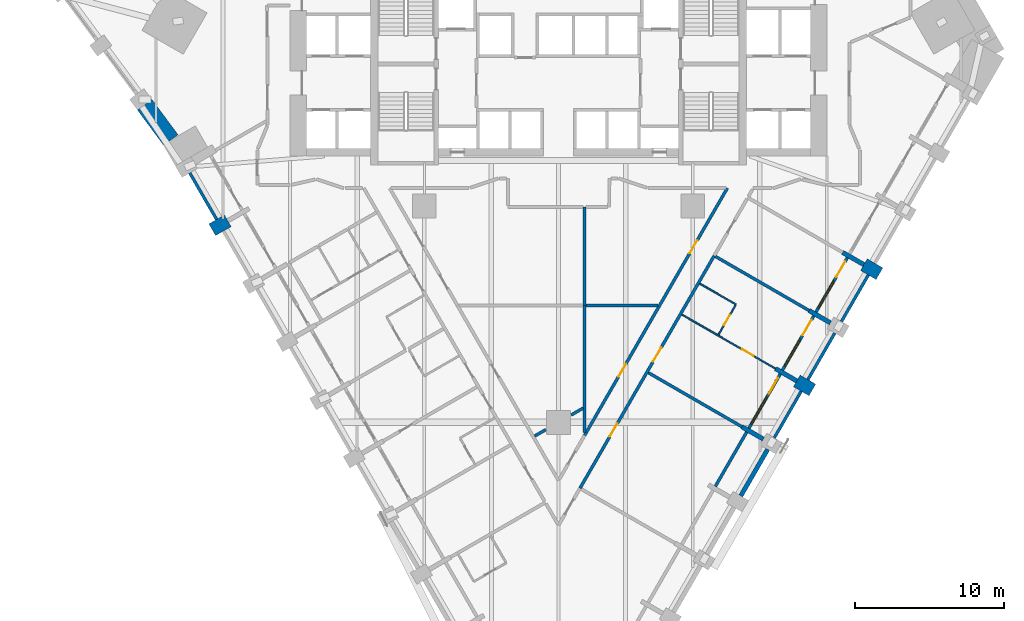
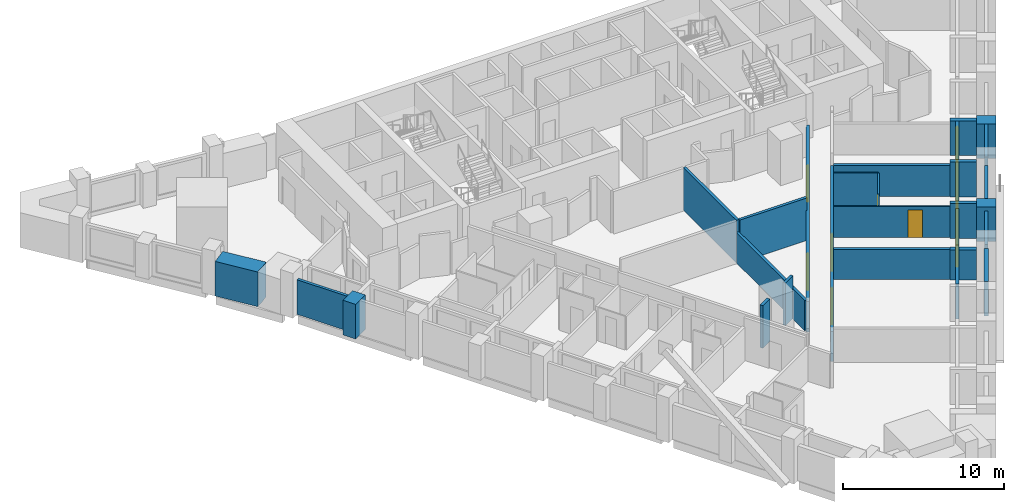
# One storey, part 5 of 11: 29 walls, 9 doors, 3 windows, 12 openings.
"""IFC4 building model written with IfcOpenShell, lengths in metres."""

from ifc_helpers import new_model, si_unit, direction, frame, frame_2d, origin, place, context, subcontext, project, spatial, polyline, rectangle, outline, extrude, material, layer, layer_set, type_object, element, fill, save


model = new_model("IFC4")

# Units and contexts
model_context = context("Model", 3, precision=1e-05, world=origin(), true_north=direction((0.0, 1.0)))
body_context = subcontext(model_context, "Body", "Model", "MODEL_VIEW")
ifc_project = project(units=[si_unit("LENGTHUNIT", "METRE"), si_unit("AREAUNIT", "SQUARE_METRE"), si_unit("VOLUMEUNIT", "CUBIC_METRE"), si_unit("PLANEANGLEUNIT", "RADIAN"), si_unit("MASSUNIT", "GRAM", prefix="KILO")], contexts=[model_context])

# Site, building, storey
site_placement = place(None, origin())
site = spatial("IfcSite", under=ifc_project, at=site_placement, CompositionType="ELEMENT")
building_placement = place(site_placement, origin())
building = spatial("IfcBuilding", under=site, at=building_placement, Name="Calabash Gate Tower", CompositionType="ELEMENT")
storey_placement = place(building_placement, frame((0.0, 0.0, 52.800048828125)))
storey = spatial("IfcBuildingStorey", under=building, at=storey_placement, Name="L08", CompositionType="ELEMENT", Elevation=52.800048828125)

# Walls
ifc_material_1 = material(Name="Terracotta brick masonry, exposed face", Category="masonry")
ifc_layer_1 = layer(ifc_material_1, 1.199951171875)
ifc_layer_set_1 = layer_set([ifc_layer_1], Name="Brick end wall 1200")
wall_type_1 = type_object("IfcWallType", Name="Brick end wall 1200", PredefinedType="SOLIDWALL", material=ifc_layer_set_1)
wall_1_placement = place(storey_placement, frame((-23.2197265625, 0.912353515625, 0.0), z_axis=(0.0, 0.0, 1.0), x_axis=(0.866006032174, 0.500033551112, 0.0)))
element("IfcWall", 1, at=wall_1_placement, inside=storey, type_object=wall_type_1, Name="Brick pier S01 SW0.1", PredefinedType="SOLIDWALL", context=body_context, shape_type="SweptSolid", body=[
    extrude(rectangle(XDim=1.2001953125, YDim=0.89990234375, at=frame_2d((0.60009765625, 0.0))), origin(), (0.0, 0.0, 1.0), 2.6298828125),
])
for number, where, z_axis, x_axis, name in (
    (2, (17.01953125, -9.826171875, 0.0), (0.0, 0.0, 1.0), (-0.866043267704, 0.499969057507, 0.0), "Brick pier S01 SE2.5"),
    (3, (21.51953125, -2.031982421875, 0.0), (0.0, 0.0, 1.0), (-0.866043267704, 0.499969057507, 0.0), "Brick pier S01 SE2.7"),
):
    element("IfcWall", number, at=place(storey_placement, frame(where, z_axis=z_axis, x_axis=x_axis)), inside=storey, type_object=wall_type_1, Name=name, PredefinedType="SOLIDWALL", context=body_context, shape_type="SweptSolid", body=[
        extrude(rectangle(XDim=1.19970703125, YDim=0.89990234375, at=frame_2d((0.599853515625, 0.0))), origin(), (0.0, 0.0, 1.0), 2.6298828125),
    ])
wall_2_placement = place(storey_placement, origin())
element("IfcWall", 4, at=wall_2_placement, inside=storey, type_object=wall_type_1, Name="Brick end wall S01 3", PredefinedType="SOLIDWALL", context=body_context, shape_type="SweptSolid", body=[
    extrude(outline(polyline([(-25.517822265625, 7.285400390625), (-27.267578125, 9.64697265625), (-27.26806640625, 9.646728515625), (-27.26806640625, 9.646484375), (-28.231689453125, 8.9326171875), (-26.50244140625, 6.5986328125), (-26.51953125, 6.628173828125), (-26.0, 6.92822265625), (-25.517822265625, 7.285400390625)])), origin(), (0.0, 0.0, 1.0), 2.6298828125),
])
ifc_material_2 = material(Name="Terracotta brick masonry, exposed face", Category="masonry")
ifc_layer_2 = layer(ifc_material_2, 0.300048828125)
ifc_layer_set_2 = layer_set([ifc_layer_2], Name="Brick infill panel wall 300")
wall_type_2 = type_object("IfcWallType", Name="Brick infill panel wall 300", PredefinedType="SOLIDWALL", material=ifc_layer_set_2)
wall_3_placement = place(storey_placement, frame((12.22509765625, -16.930908203125, 0.0), z_axis=(0.0, 0.0, 1.0), x_axis=(0.499931829785, 0.866064758299, 0.0)))
element("IfcWall", 5, at=wall_3_placement, inside=storey, type_object=wall_type_2, Name="Brick panel S01 SE2.4", PredefinedType="SOLIDWALL", context=body_context, shape_type="SweptSolid", body=[
    extrude(rectangle(XDim=3.60009765625, YDim=0.300048828125, at=frame_2d((1.800048828125, 0.0))), origin(), (0.0, 0.0, 1.0), 2.6298828125),
])
ifc_material_3 = material(Name="Terracotta brick masonry, exposed face", Category="masonry")
ifc_layer_3 = layer(ifc_material_3, 0.300048828125)
ifc_layer_set_3 = layer_set([ifc_layer_3], Name="Brick loggia cheek wall 300")
wall_type_3 = type_object("IfcWallType", Name="Brick loggia cheek wall 300", PredefinedType="SOLIDWALL", material=ifc_layer_set_3)
wall_4_placement = place(storey_placement, frame((13.730224609375, -13.123291015625, 0.0), z_axis=(0.0, 0.0, 1.0), x_axis=(-0.866003217194, 0.500038426333, 0.0)))
element("IfcWall", 6, at=wall_4_placement, inside=storey, type_object=wall_type_3, Name="Loggia cheek S01 SE2.4", PredefinedType="SOLIDWALL", context=body_context, shape_type="SweptSolid", body=[
    extrude(rectangle(XDim=1.649658203125, YDim=0.300048828125, at=frame_2d((0.82470703125, 0.0))), origin(), (0.0, 0.0, 1.0), 2.302490234375),
])
wall_5_placement = place(storey_placement, frame((15.98046875, -9.226318359375, 0.0), z_axis=(0.0, 0.0, 1.0), x_axis=(-0.866040211805, 0.499974350878, 0.0)))
element("IfcWall", 7, at=wall_5_placement, inside=storey, type_object=wall_type_3, Name="Loggia cheek S01 SE2.5", PredefinedType="SOLIDWALL", context=body_context, shape_type="SweptSolid", body=[
    extrude(rectangle(XDim=1.64990234375, YDim=0.300048828125, at=frame_2d((0.824951171875, 0.0))), origin(), (0.0, 0.0, 1.0), 2.64990234375),
])
wall_6_placement = place(storey_placement, frame((18.230224609375, -5.3291015625, 0.0), z_axis=(0.0, 0.0, 1.0), x_axis=(-0.866003217194, 0.500038426333, 0.0)))
element("IfcWall", 8, at=wall_6_placement, inside=storey, type_object=wall_type_3, Name="Loggia cheek S01 SE2.6", PredefinedType="SOLIDWALL", context=body_context, shape_type="SweptSolid", body=[
    extrude(rectangle(XDim=1.649658203125, YDim=0.300048828125, at=frame_2d((0.82470703125, 0.0))), origin(), (0.0, 0.0, 1.0), 2.64990234375),
])
wall_7_placement = place(storey_placement, frame((20.48046875, -1.43212890625, 0.0), z_axis=(0.0, 0.0, 1.0), x_axis=(-0.865976140824, 0.500085316245, 0.0)))
element("IfcWall", 9, at=wall_7_placement, inside=storey, type_object=wall_type_3, Name="Loggia cheek S01 SE2.7", PredefinedType="SOLIDWALL", context=body_context, shape_type="SweptSolid", body=[
    extrude(rectangle(XDim=1.650146484375, YDim=0.300048828125, at=frame_2d((0.8251953125, 0.0))), origin(), (0.0, 0.0, 1.0), 2.64990234375),
])

# Wall, opening, door
ifc_material_4 = material(Name="Gypsum board on steel studs, mineral wool", Category="steel")
ifc_layer_4 = layer(ifc_material_4, 0.10009765625)
ifc_layer_set_4 = layer_set([ifc_layer_4], Name="Partition 100 gypsum board")
wall_type_4 = type_object("IfcWallType", Name="Partition 100 gypsum board", PredefinedType="PARTITIONING", material=ifc_layer_set_4)
wall_8_placement = place(storey_placement, frame((10.72216796875, -6.13037109375, 0.0), z_axis=(0.0, 0.0, 1.0), x_axis=(0.500617411337, 0.865668647617, 0.0)))
wall_8 = element("IfcWall", 10, at=wall_8_placement, inside=storey, type_object=wall_type_4, Name="Partition", PredefinedType="PARTITIONING", context=body_context, shape_type="SweptSolid", body=[
    extrude(rectangle(XDim=2.2978515625, YDim=0.10009765625, at=frame_2d((1.14892578125, 0.0))), origin(), (0.0, 0.0, 1.0), 3.22998046875),
])
opening_1_placement = place(wall_8_placement, frame((0.748046875, 0.0, 0.0)))
opening_1 = element("IfcOpeningElement", 11, at=opening_1_placement, cuts=wall_8, Name="Opening 06-08-012", PredefinedType="OPENING", context=body_context, shape_type="SweptSolid", body=[
    extrude(rectangle(XDim=0.800048828125, YDim=2.10009765625, at=frame_2d((0.39990234375, 1.050048828125))), frame((0.0, 0.06005859375, 0.0), z_axis=(0.0, -1.0, 0.0), x_axis=(1.0, 0.0, 0.0)), (0.0, 0.0, 1.0), 0.1201171875),
])
ifc_material_5 = material(Name="Painted timber door", Category="wood")
door_type_1 = type_object("IfcDoorType", Name="GD5 En-suite door 800x2100", OperationType="NOTDEFINED", PredefinedType="DOOR", material=ifc_material_5)
door_1_placement = place(opening_1_placement, origin())
door_1 = element("IfcDoor", 12, at=door_1_placement, inside=storey, type_object=door_type_1, Name="En-suite door", OperationType="SINGLE_SWING_RIGHT", OverallHeight=2.10009765625, OverallWidth=0.800048828125, PredefinedType="DOOR", context=body_context, shape_type="SweptSolid", body=[
    extrude(rectangle(XDim=0.800048828125, YDim=2.10009765625, at=frame_2d((0.39990234375, 1.050048828125))), frame((0.0, 0.02490234375, 0.0), z_axis=(0.0, -1.0, 0.0), x_axis=(1.0, 0.0, 0.0)), (0.0, 0.0, 1.0), 0.050048828125),
])
fill(opening_1, door_1)

wall_9_placement = place(storey_placement, frame((8.27392578125, -4.774658203125, 0.0), z_axis=(0.0, 0.0, 1.0), x_axis=(0.866035857012, -0.499981894041, 0.0)))
wall_9 = element("IfcWall", 13, at=wall_9_placement, inside=storey, type_object=wall_type_4, Name="Partition", PredefinedType="PARTITIONING", context=body_context, shape_type="SweptSolid", body=[
    extrude(rectangle(XDim=7.249755859375, YDim=0.10009765625, at=frame_2d((3.625, 0.0))), origin(), (0.0, 0.0, 1.0), 2.384033203125),
])
opening_2_placement = place(wall_9_placement, frame((4.64990234375, 0.0, 0.0)))
opening_2 = element("IfcOpeningElement", 14, at=opening_2_placement, cuts=wall_9, Name="Opening 06-08-011", PredefinedType="OPENING", context=body_context, shape_type="SweptSolid", body=[
    extrude(rectangle(XDim=0.89990234375, YDim=2.10009765625, at=frame_2d((0.449951171875, 1.050048828125))), frame((0.0, 0.06005859375, 0.0), z_axis=(0.0, -1.0, 0.0), x_axis=(1.0, 0.0, 0.0)), (0.0, 0.0, 1.0), 0.1201171875),
])
ifc_material_6 = material(Name="Painted timber door", Category="wood")
door_type_2 = type_object("IfcDoorType", Name="GD7 Suite room door 900x2100", OperationType="NOTDEFINED", PredefinedType="DOOR", material=ifc_material_6)
door_2_placement = place(opening_2_placement, origin())
door_2 = element("IfcDoor", 15, at=door_2_placement, inside=storey, type_object=door_type_2, Name="Suite room door", OperationType="SINGLE_SWING_RIGHT", OverallHeight=2.10009765625, OverallWidth=0.89990234375, PredefinedType="DOOR", context=body_context, shape_type="SweptSolid", body=[
    extrude(rectangle(XDim=0.89990234375, YDim=2.10009765625, at=frame_2d((0.449951171875, 1.050048828125))), frame((0.0, 0.02490234375, 0.0), z_axis=(0.0, -1.0, 0.0), x_axis=(1.0, 0.0, 0.0)), (0.0, 0.0, 1.0), 0.050048828125),
])
fill(opening_2, door_2)

# Walls
wall_10_placement = place(storey_placement, frame((9.47216796875, -2.69921875, 0.0), z_axis=(0.0, 0.0, 1.0), x_axis=(0.866288634608, -0.499543793424, 0.0)))
element("IfcWall", 16, at=wall_10_placement, inside=storey, type_object=wall_type_4, Name="Partition", PredefinedType="PARTITIONING", context=body_context, shape_type="SweptSolid", body=[
    extrude(rectangle(XDim=2.7998046875, YDim=0.10009765625, at=frame_2d((1.39990234375, 0.0))), origin(), (0.0, 0.0, 1.0), 3.22998046875),
])
ifc_material_7 = material(Name="Gypsum board on steel studs, mineral wool", Category="steel")
ifc_layer_5 = layer(ifc_material_7, 0.199951171875)
ifc_layer_set_5 = layer_set([ifc_layer_5], Name="Partition 200 gypsum board EI 60")
wall_type_5 = type_object("IfcWallType", Name="Partition 200 gypsum board EI 60", PredefinedType="PARTITIONING", material=ifc_layer_set_5)
wall_11_placement = place(storey_placement, frame((-1.603515625, -12.923583984375, 0.0), z_axis=(0.0, 0.0, 1.0), x_axis=(0.866960927484, 0.498376113207, 0.0)))
element("IfcWall", 17, at=wall_11_placement, inside=storey, type_object=wall_type_5, Name="Partition", PredefinedType="PARTITIONING", context=body_context, shape_type="SweptSolid", body=[
    extrude(rectangle(XDim=0.869140625, YDim=0.199951171875, at=frame_2d((0.4345703125, 0.0))), origin(), (0.0, 0.0, 1.0), 3.22998046875),
])

# Wall, openings, doors
wall_12_placement = place(storey_placement, frame((1.75, -12.8701171875, 0.0), z_axis=(0.0, 0.0, 1.0), x_axis=(0.499999309361, 0.866025802525, 0.0)))
wall_12 = element("IfcWall", 18, at=wall_12_placement, inside=storey, type_object=wall_type_5, Name="Partition", PredefinedType="PARTITIONING", context=body_context, shape_type="SweptSolid", body=[
    extrude(rectangle(XDim=19.13427734375, YDim=0.199951171875, at=frame_2d((9.567138671875, 0.0))), origin(), (0.0, 0.0, 1.0), 2.302490234375),
])
opening_3_placement = place(wall_12_placement, frame((14.097900390625, 0.0, 0.0)))
opening_3 = element("IfcOpeningElement", 19, at=opening_3_placement, cuts=wall_12, Name="Opening 06-08-015", PredefinedType="OPENING", context=body_context, shape_type="SweptSolid", body=[
    extrude(rectangle(XDim=1.0, YDim=2.10009765625, at=frame_2d((0.5, 1.050048828125))), frame((0.0, 0.10986328125, 0.0), z_axis=(0.0, -1.0, 0.0), x_axis=(1.0, 0.0, 0.0)), (0.0, 0.0, 1.0), 0.219970703125),
])
opening_4_placement = place(wall_12_placement, frame((4.530029296875, 0.0, 0.0)))
opening_4 = element("IfcOpeningElement", 20, at=opening_4_placement, cuts=wall_12, Name="Opening 06-08-016", PredefinedType="OPENING", context=body_context, shape_type="SweptSolid", body=[
    extrude(rectangle(XDim=1.0, YDim=2.10009765625, at=frame_2d((0.5, 1.050048828125))), frame((0.0, 0.10986328125, 0.0), z_axis=(0.0, -1.0, 0.0), x_axis=(1.0, 0.0, 0.0)), (0.0, 0.0, 1.0), 0.219970703125),
])
ifc_material_8 = material(Name="Steel fire door set with fire-resisting glazing", Category="steel")
door_type_3 = type_object("IfcDoorType", Name="LD2 Meeting room door 1000x2100", OperationType="NOTDEFINED", PredefinedType="DOOR", material=ifc_material_8)
door_3_placement = place(opening_3_placement, origin())
door_3 = element("IfcDoor", 21, at=door_3_placement, inside=storey, type_object=door_type_3, Name="Meeting room door", OperationType="SINGLE_SWING_RIGHT", OverallHeight=2.10009765625, OverallWidth=1.0, PredefinedType="DOOR", context=body_context, shape_type="SweptSolid", body=[
    extrude(rectangle(XDim=1.0, YDim=2.10009765625, at=frame_2d((0.5, 1.050048828125))), frame((0.0, 0.02490234375, 0.0), z_axis=(0.0, -1.0, 0.0), x_axis=(1.0, 0.0, 0.0)), (0.0, 0.0, 1.0), 0.050048828125),
])
fill(opening_3, door_3)
door_4_placement = place(opening_4_placement, origin())
door_4 = element("IfcDoor", 22, at=door_4_placement, inside=storey, type_object=door_type_3, Name="Meeting room door", OperationType="SINGLE_SWING_LEFT", OverallHeight=2.10009765625, OverallWidth=1.0, PredefinedType="DOOR", context=body_context, shape_type="SweptSolid", body=[
    extrude(rectangle(XDim=1.0, YDim=2.10009765625, at=frame_2d((0.5, 1.050048828125))), frame((0.0, 0.02490234375, 0.0), z_axis=(0.0, -1.0, 0.0), x_axis=(1.0, 0.0, 0.0)), (0.0, 0.0, 1.0), 0.050048828125),
])
fill(opening_4, door_4)

# Walls
wall_13_placement = place(storey_placement, frame((1.748046875, -12.673583984375, 0.0), z_axis=(0.0, 0.0, 1.0), x_axis=(0.0, 1.0, 0.0)))
element("IfcWall", 23, at=wall_13_placement, inside=storey, type_object=wall_type_5, Name="Partition", PredefinedType="PARTITIONING", context=body_context, shape_type="SweptSolid", body=[
    extrude(rectangle(XDim=8.515869140625, YDim=0.199951171875, at=frame_2d((4.2578125, 0.0))), origin(), (0.0, 0.0, 1.0), 2.302490234375),
])
wall_14_placement = place(storey_placement, frame((0.85009765625, -11.509033203125, 0.0), z_axis=(0.0, 0.0, 1.0), x_axis=(0.865248014814, 0.501344066345, 0.0)))
element("IfcWall", 24, at=wall_14_placement, inside=storey, type_object=wall_type_5, Name="Partition", PredefinedType="PARTITIONING", context=body_context, shape_type="SweptSolid", body=[
    extrude(rectangle(XDim=0.93798828125, YDim=0.199951171875, at=frame_2d((0.468994140625, 0.0))), origin(), (0.0, 0.0, 1.0), 3.22998046875),
])
wall_15_placement = place(storey_placement, frame((6.02392578125, -8.671875, 0.0), z_axis=(0.0, 0.0, 1.0), x_axis=(0.865914666804, -0.500191753045, 0.0)))
element("IfcWall", 25, at=wall_15_placement, inside=storey, type_object=wall_type_5, Name="Partition", PredefinedType="PARTITIONING", context=body_context, shape_type="SweptSolid", body=[
    extrude(rectangle(XDim=7.249755859375, YDim=0.199951171875, at=frame_2d((3.625, 0.0))), origin(), (0.0, 0.0, 1.0), 2.302490234375),
])
wall_16_placement = place(storey_placement, frame((1.85009765625, -4.156005859375, 0.0), z_axis=(0.0, 0.0, 1.0), x_axis=(0.999999937456, -0.000353678232, 0.0)))
element("IfcWall", 26, at=wall_16_placement, inside=storey, type_object=wall_type_5, Name="Partition", PredefinedType="PARTITIONING", context=body_context, shape_type="SweptSolid", body=[
    extrude(rectangle(XDim=4.83203125, YDim=0.199951171875, at=frame_2d((2.416015625, 0.0))), origin(), (0.0, 0.0, 1.0), 3.22998046875),
])
wall_17_placement = place(storey_placement, frame((10.525390625, -0.87841796875, 0.0), z_axis=(0.0, 0.0, 1.0), x_axis=(0.865907869998, -0.500203519255, 0.0)))
element("IfcWall", 27, at=wall_17_placement, inside=storey, type_object=wall_type_5, Name="Partition", PredefinedType="PARTITIONING", context=body_context, shape_type="SweptSolid", body=[
    extrude(rectangle(XDim=7.248046875, YDim=0.199951171875, at=frame_2d((3.6240234375, 0.0))), origin(), (0.0, 0.0, 1.0), 2.384033203125),
])

# Wall, openings, doors
wall_18_placement = place(storey_placement, frame((1.43798828125, -16.418701171875, 0.0), z_axis=(0.0, 0.0, 1.0), x_axis=(0.499996012009, 0.86602770624, 0.0)))
wall_18 = element("IfcWall", 28, at=wall_18_placement, inside=storey, type_object=wall_type_5, Name="Partition", PredefinedType="PARTITIONING", context=body_context, shape_type="SweptSolid", body=[
    extrude(rectangle(XDim=18.000244140625, YDim=0.199951171875, at=frame_2d((9.0, 0.0))), origin(), (0.0, 0.0, 1.0), 2.302490234375),
])
opening_5_placement = place(wall_18_placement, frame((4.0, 0.0, 0.0)))
opening_5 = element("IfcOpeningElement", 29, at=opening_5_placement, cuts=wall_18, Name="Opening 06-08-009", PredefinedType="OPENING", context=body_context, shape_type="SweptSolid", body=[
    extrude(rectangle(XDim=1.0, YDim=2.10009765625, at=frame_2d((0.5, 1.050048828125))), frame((0.0, 0.10986328125, 0.0), z_axis=(0.0, -1.0, 0.0), x_axis=(1.0, 0.0, 0.0)), (0.0, 0.0, 1.0), 0.219970703125),
])
opening_6_placement = place(wall_18_placement, frame((9.800048828125, 0.0, 0.0)))
opening_6 = element("IfcOpeningElement", 30, at=opening_6_placement, cuts=wall_18, Name="Opening 06-08-010", PredefinedType="OPENING", context=body_context, shape_type="SweptSolid", body=[
    extrude(rectangle(XDim=1.10009765625, YDim=2.10009765625, at=frame_2d((0.550048828125, 1.050048828125))), frame((0.0, 0.10986328125, 0.0), z_axis=(0.0, -1.0, 0.0), x_axis=(1.0, 0.0, 0.0)), (0.0, 0.0, 1.0), 0.219970703125),
])
ifc_material_9 = material(Name="Steel fire door set with fire-resisting glazing", Category="steel")
door_type_4 = type_object("IfcDoorType", Name="GD3 Suite entrance door 1100x2100", OperationType="NOTDEFINED", PredefinedType="DOOR", material=ifc_material_9)
door_5_placement = place(opening_6_placement, origin())
door_5 = element("IfcDoor", 31, at=door_5_placement, inside=storey, type_object=door_type_4, Name="Suite entrance door", OperationType="SINGLE_SWING_RIGHT", OverallHeight=2.10009765625, OverallWidth=1.10009765625, PredefinedType="DOOR", context=body_context, shape_type="SweptSolid", body=[
    extrude(rectangle(XDim=1.10009765625, YDim=2.10009765625, at=frame_2d((0.550048828125, 1.050048828125))), frame((0.0, 0.02490234375, 0.0), z_axis=(0.0, -1.0, 0.0), x_axis=(1.0, 0.0, 0.0)), (0.0, 0.0, 1.0), 0.050048828125),
])
fill(opening_6, door_5)
door_6_placement = place(opening_5_placement, origin())
door_6 = element("IfcDoor", 32, at=door_6_placement, inside=storey, type_object=door_type_3, Name="Meeting room door", OperationType="SINGLE_SWING_RIGHT", OverallHeight=2.10009765625, OverallWidth=1.0, PredefinedType="DOOR", context=body_context, shape_type="SweptSolid", body=[
    extrude(rectangle(XDim=1.0, YDim=2.10009765625, at=frame_2d((0.5, 1.050048828125))), frame((0.0, 0.02490234375, 0.0), z_axis=(0.0, -1.0, 0.0), x_axis=(1.0, 0.0, 0.0)), (0.0, 0.0, 1.0), 0.050048828125),
])
fill(opening_5, door_6)

# Walls
wall_19_placement = place(storey_placement, frame((1.750244140625, -4.15576171875, 0.0), z_axis=(0.0, 0.0, 1.0), x_axis=(0.000258617496, 0.999999966558, 0.0)))
element("IfcWall", 33, at=wall_19_placement, inside=storey, type_object=wall_type_5, Name="Partition", PredefinedType="PARTITIONING", context=body_context, shape_type="SweptSolid", body=[
    extrude(rectangle(XDim=6.608154296875, YDim=0.199951171875, at=frame_2d((3.30419921875, 0.0))), origin(), (0.0, 0.0, 1.0), 3.22998046875),
])
ifc_material_10 = material(Name="Terracotta brick masonry, perforated", Category="masonry")
ifc_layer_6 = layer(ifc_material_10, 0.199951171875)
ifc_layer_set_6 = layer_set([ifc_layer_6], Name="Terracotta jaali screen A")
wall_type_6 = type_object("IfcWallType", Name="Terracotta jaali screen A", PredefinedType="SOLIDWALL", material=ifc_layer_set_6)
wall_20_placement = place(storey_placement, frame((-24.72509765625, 4.7197265625, 0.0), z_axis=(0.0, 0.0, 1.0), x_axis=(0.500012057535, -0.866018442252, 0.0)))
element("IfcWall", 34, at=wall_20_placement, inside=storey, type_object=wall_type_6, Name="SCREEN A S01 SW0.1", PredefinedType="SOLIDWALL", context=body_context, shape_type="SweptSolid", body=[
    extrude(rectangle(XDim=3.60009765625, YDim=0.199951171875, at=frame_2d((1.800048828125, 0.0))), origin(), (0.0, 0.0, 1.0), 2.6298828125),
])
wall_21_placement = place(storey_placement, frame((14.47509765625, -13.03369140625, 0.0), z_axis=(0.0, 0.0, 1.0), x_axis=(0.499961193289, 0.866047807691, 0.0)))
element("IfcWall", 35, at=wall_21_placement, inside=storey, type_object=wall_type_6, Name="SCREEN A S01 SE2.5", PredefinedType="SOLIDWALL", context=body_context, shape_type="SweptSolid", body=[
    extrude(rectangle(XDim=3.599853515625, YDim=0.199951171875, at=frame_2d((1.7998046875, 0.0))), origin(), (0.0, 0.0, 1.0), 2.302490234375),
])
for number, where, z_axis, x_axis, name in (
    (36, (16.72509765625, -9.136474609375, 0.0), (0.0, 0.0, 1.0), (0.499961193289, 0.866047807691, 0.0), "SCREEN A S01 SE2.6"),
    (37, (18.97509765625, -5.239501953125, 0.0), (0.0, 0.0, 1.0), (0.499961193289, 0.866047807691, 0.0), "SCREEN A S01 SE2.7"),
):
    element("IfcWall", number, at=place(storey_placement, frame(where, z_axis=z_axis, x_axis=x_axis)), inside=storey, type_object=wall_type_6, Name=name, PredefinedType="SOLIDWALL", context=body_context, shape_type="SweptSolid", body=[
        extrude(rectangle(XDim=3.599853515625, YDim=0.199951171875, at=frame_2d((1.7998046875, 0.0))), origin(), (0.0, 0.0, 1.0), 2.6298828125),
    ])
ifc_material_11 = material(Name="Aluminium framed window wall with insulated spandrel", Category="aluminium")
ifc_layer_7 = layer(ifc_material_11, 0.199951171875)
ifc_layer_set_7 = layer_set([ifc_layer_7], Name="Window wall 200")
wall_type_7 = type_object("IfcWallType", Name="Window wall 200", PredefinedType="ELEMENTEDWALL", material=ifc_layer_set_7)
wall_22_placement = place(storey_placement, frame((10.51611328125, -16.29052734375, 0.0), z_axis=(0.0, 0.0, 1.0), x_axis=(0.500027713859, 0.866009402589, 0.0)))
element("IfcWall", 38, at=wall_22_placement, inside=storey, type_object=wall_type_7, Name="Window wall S01 SE2.4", PredefinedType="ELEMENTEDWALL", context=body_context, shape_type="SweptSolid", body=[
    extrude(rectangle(XDim=4.199951171875, YDim=0.199951171875, at=frame_2d((2.10009765625, 0.0))), origin(), (0.0, 0.0, 1.0), 2.64990234375),
])

# Wall, openings, door, window
wall_23_placement = place(storey_placement, frame((12.76611328125, -12.3935546875, 0.0), z_axis=(0.0, 0.0, 1.0), x_axis=(0.500002543286, 0.866023935413, 0.0)))
wall_23 = element("IfcWall", 39, at=wall_23_placement, inside=storey, type_object=wall_type_7, Name="Window wall S01 SE2.5", PredefinedType="ELEMENTEDWALL", context=body_context, shape_type="SweptSolid", body=[
    extrude(rectangle(XDim=4.2001953125, YDim=0.199951171875, at=frame_2d((2.10009765625, 0.0))), origin(), (0.0, 0.0, 1.0), 2.302490234375),
])
opening_7_placement = place(wall_23_placement, frame((0.300048828125, 0.0, 0.60009765625)))
opening_7 = element("IfcOpeningElement", 40, at=opening_7_placement, cuts=wall_23, Name="Opening HW1L-1600", PredefinedType="OPENING", context=body_context, shape_type="SweptSolid", body=[
    extrude(rectangle(XDim=2.10009765625, YDim=1.60009765625, at=frame_2d((1.050048828125, 0.800048828125))), frame((0.0, 0.10986328125, 0.0), z_axis=(0.0, -1.0, 0.0), x_axis=(1.0, 0.0, 0.0)), (0.0, 0.0, 1.0), 0.219970703125),
])
opening_8_placement = place(wall_23_placement, frame((2.699951171875, 0.0, 0.0)))
opening_8 = element("IfcOpeningElement", 41, at=opening_8_placement, cuts=wall_23, Name="Opening H1-019", PredefinedType="OPENING", context=body_context, shape_type="SweptSolid", body=[
    extrude(rectangle(XDim=1.199951171875, YDim=2.199951171875, at=frame_2d((0.60009765625, 1.10009765625))), frame((0.0, 0.10986328125, 0.0), z_axis=(0.0, -1.0, 0.0), x_axis=(1.0, 0.0, 0.0)), (0.0, 0.0, 1.0), 0.219970703125),
])
ifc_material_12 = material(Name="Anodised aluminium frame, bronze finish, impact-rated laminated clear glazing", Category="aluminium")
door_type_5 = type_object("IfcDoorType", Name="Loggia door DH1L-2200 1200x2200", OperationType="SLIDING_TO_LEFT", PredefinedType="DOOR", material=ifc_material_12)
door_7_placement = place(opening_8_placement, origin())
door_7 = element("IfcDoor", 42, at=door_7_placement, inside=storey, type_object=door_type_5, Name="Loggia door S01 SE2.5", OperationType="SINGLE_SWING_LEFT", OverallHeight=2.199951171875, OverallWidth=1.199951171875, PredefinedType="DOOR", context=body_context, shape_type="SweptSolid", body=[
    extrude(rectangle(XDim=1.199951171875, YDim=2.199951171875, at=frame_2d((0.60009765625, 1.10009765625))), frame((0.0, 0.02490234375, 0.0), z_axis=(0.0, -1.0, 0.0), x_axis=(1.0, 0.0, 0.0)), (0.0, 0.0, 1.0), 0.050048828125),
])
fill(opening_8, door_7)
ifc_material_13 = material(Name="Anodised aluminium frame, bronze finish, impact-rated laminated clear glazing", Category="aluminium")
window_type_1 = type_object("IfcWindowType", Name="Window HW1L 2100x1600", PartitioningType="DOUBLE_PANEL_VERTICAL", PredefinedType="WINDOW", material=ifc_material_13)
window_1_placement = place(opening_7_placement, origin())
window_1 = element("IfcWindow", 43, at=window_1_placement, inside=storey, type_object=window_type_1, Name="Window HW1 S01 SE2.5", OverallHeight=1.60009765625, OverallWidth=2.10009765625, PartitioningType="SINGLE_PANEL", PredefinedType="WINDOW", context=body_context, shape_type="SweptSolid", body=[
    extrude(rectangle(XDim=2.10009765625, YDim=1.60009765625, at=frame_2d((1.050048828125, 0.800048828125))), frame((0.0, 0.030029296875, 0.0), z_axis=(0.0, -1.0, 0.0), x_axis=(1.0, 0.0, 0.0)), (0.0, 0.0, 1.0), 0.06005859375),
])
fill(opening_7, window_1)

wall_24_placement = place(storey_placement, frame((15.01611328125, -8.496337890625, 0.0), z_axis=(0.0, 0.0, 1.0), x_axis=(0.500027713859, 0.866009402589, 0.0)))
wall_24 = element("IfcWall", 44, at=wall_24_placement, inside=storey, type_object=wall_type_7, Name="Window wall S01 SE2.6", PredefinedType="ELEMENTEDWALL", context=body_context, shape_type="SweptSolid", body=[
    extrude(rectangle(XDim=4.199951171875, YDim=0.199951171875, at=frame_2d((2.10009765625, 0.0))), origin(), (0.0, 0.0, 1.0), 2.64990234375),
])
opening_9_placement = place(wall_24_placement, frame((0.300048828125, 0.0, 0.60009765625)))
opening_9 = element("IfcOpeningElement", 45, at=opening_9_placement, cuts=wall_24, Name="Opening HW1", PredefinedType="OPENING", context=body_context, shape_type="SweptSolid", body=[
    extrude(rectangle(XDim=2.10009765625, YDim=1.800048828125, at=frame_2d((1.050048828125, 0.89990234375))), frame((0.0, 0.10986328125, 0.0), z_axis=(0.0, -1.0, 0.0), x_axis=(1.0, 0.0, 0.0)), (0.0, 0.0, 1.0), 0.219970703125),
])
opening_10_placement = place(wall_24_placement, frame((2.699951171875, 0.0, 0.0)))
opening_10 = element("IfcOpeningElement", 46, at=opening_10_placement, cuts=wall_24, Name="Opening H1-020", PredefinedType="OPENING", context=body_context, shape_type="SweptSolid", body=[
    extrude(rectangle(XDim=1.199951171875, YDim=2.39990234375, at=frame_2d((0.60009765625, 1.199951171875))), frame((0.0, 0.10986328125, 0.0), z_axis=(0.0, -1.0, 0.0), x_axis=(1.0, 0.0, 0.0)), (0.0, 0.0, 1.0), 0.219970703125),
])
ifc_material_14 = material(Name="Anodised aluminium frame, bronze finish, impact-rated laminated clear glazing", Category="aluminium")
door_type_6 = type_object("IfcDoorType", Name="Loggia door DH1 1200x2400", OperationType="SLIDING_TO_LEFT", PredefinedType="DOOR", material=ifc_material_14)
door_8_placement = place(opening_10_placement, origin())
door_8 = element("IfcDoor", 47, at=door_8_placement, inside=storey, type_object=door_type_6, Name="Loggia door S01 SE2.6", OperationType="SINGLE_SWING_LEFT", OverallHeight=2.39990234375, OverallWidth=1.199951171875, PredefinedType="DOOR", context=body_context, shape_type="SweptSolid", body=[
    extrude(rectangle(XDim=1.199951171875, YDim=2.39990234375, at=frame_2d((0.60009765625, 1.199951171875))), frame((0.0, 0.02490234375, 0.0), z_axis=(0.0, -1.0, 0.0), x_axis=(1.0, 0.0, 0.0)), (0.0, 0.0, 1.0), 0.050048828125),
])
fill(opening_10, door_8)
ifc_material_15 = material(Name="Anodised aluminium frame, bronze finish, impact-rated laminated clear glazing", Category="aluminium")
window_type_2 = type_object("IfcWindowType", Name="Window HW1 2100x1800", PartitioningType="DOUBLE_PANEL_VERTICAL", PredefinedType="WINDOW", material=ifc_material_15)
window_2_placement = place(opening_9_placement, origin())
window_2 = element("IfcWindow", 48, at=window_2_placement, inside=storey, type_object=window_type_2, Name="Window HW1 S01 SE2.6", OverallHeight=1.800048828125, OverallWidth=2.10009765625, PartitioningType="SINGLE_PANEL", PredefinedType="WINDOW", context=body_context, shape_type="SweptSolid", body=[
    extrude(rectangle(XDim=2.10009765625, YDim=1.800048828125, at=frame_2d((1.050048828125, 0.89990234375))), frame((0.0, 0.030029296875, 0.0), z_axis=(0.0, -1.0, 0.0), x_axis=(1.0, 0.0, 0.0)), (0.0, 0.0, 1.0), 0.06005859375),
])
fill(opening_9, window_2)

wall_25_placement = place(storey_placement, frame((17.26611328125, -4.599365234375, 0.0), z_axis=(0.0, 0.0, 1.0), x_axis=(0.500002543286, 0.866023935413, 0.0)))
wall_25 = element("IfcWall", 49, at=wall_25_placement, inside=storey, type_object=wall_type_7, Name="Window wall S01 SE2.7", PredefinedType="ELEMENTEDWALL", context=body_context, shape_type="SweptSolid", body=[
    extrude(rectangle(XDim=4.2001953125, YDim=0.199951171875, at=frame_2d((2.10009765625, 0.0))), origin(), (0.0, 0.0, 1.0), 2.64990234375),
])
opening_11_placement = place(wall_25_placement, frame((0.300048828125, 0.0, 0.60009765625)))
opening_11 = element("IfcOpeningElement", 50, at=opening_11_placement, cuts=wall_25, Name="Opening HW1", PredefinedType="OPENING", context=body_context, shape_type="SweptSolid", body=[
    extrude(rectangle(XDim=2.10009765625, YDim=1.800048828125, at=frame_2d((1.050048828125, 0.89990234375))), frame((0.0, 0.10986328125, 0.0), z_axis=(0.0, -1.0, 0.0), x_axis=(1.0, 0.0, 0.0)), (0.0, 0.0, 1.0), 0.219970703125),
])
opening_12_placement = place(wall_25_placement, frame((2.699951171875, 0.0, 0.0)))
opening_12 = element("IfcOpeningElement", 51, at=opening_12_placement, cuts=wall_25, Name="Opening H1-021", PredefinedType="OPENING", context=body_context, shape_type="SweptSolid", body=[
    extrude(rectangle(XDim=1.199951171875, YDim=2.39990234375, at=frame_2d((0.60009765625, 1.199951171875))), frame((0.0, 0.10986328125, 0.0), z_axis=(0.0, -1.0, 0.0), x_axis=(1.0, 0.0, 0.0)), (0.0, 0.0, 1.0), 0.219970703125),
])
door_9_placement = place(opening_12_placement, origin())
door_9 = element("IfcDoor", 52, at=door_9_placement, inside=storey, type_object=door_type_6, Name="Loggia door S01 SE2.7", OperationType="SINGLE_SWING_LEFT", OverallHeight=2.39990234375, OverallWidth=1.199951171875, PredefinedType="DOOR", context=body_context, shape_type="SweptSolid", body=[
    extrude(rectangle(XDim=1.199951171875, YDim=2.39990234375, at=frame_2d((0.60009765625, 1.199951171875))), frame((0.0, 0.02490234375, 0.0), z_axis=(0.0, -1.0, 0.0), x_axis=(1.0, 0.0, 0.0)), (0.0, 0.0, 1.0), 0.050048828125),
])
fill(opening_12, door_9)
window_3_placement = place(opening_11_placement, origin())
window_3 = element("IfcWindow", 53, at=window_3_placement, inside=storey, type_object=window_type_2, Name="Window HW1 S01 SE2.7", OverallHeight=1.800048828125, OverallWidth=2.10009765625, PartitioningType="SINGLE_PANEL", PredefinedType="WINDOW", context=body_context, shape_type="SweptSolid", body=[
    extrude(rectangle(XDim=2.10009765625, YDim=1.800048828125, at=frame_2d((1.050048828125, 0.89990234375))), frame((0.0, 0.030029296875, 0.0), z_axis=(0.0, -1.0, 0.0), x_axis=(1.0, 0.0, 0.0)), (0.0, 0.0, 1.0), 0.06005859375),
])
fill(opening_11, window_3)

save(model, "model.ifc")
